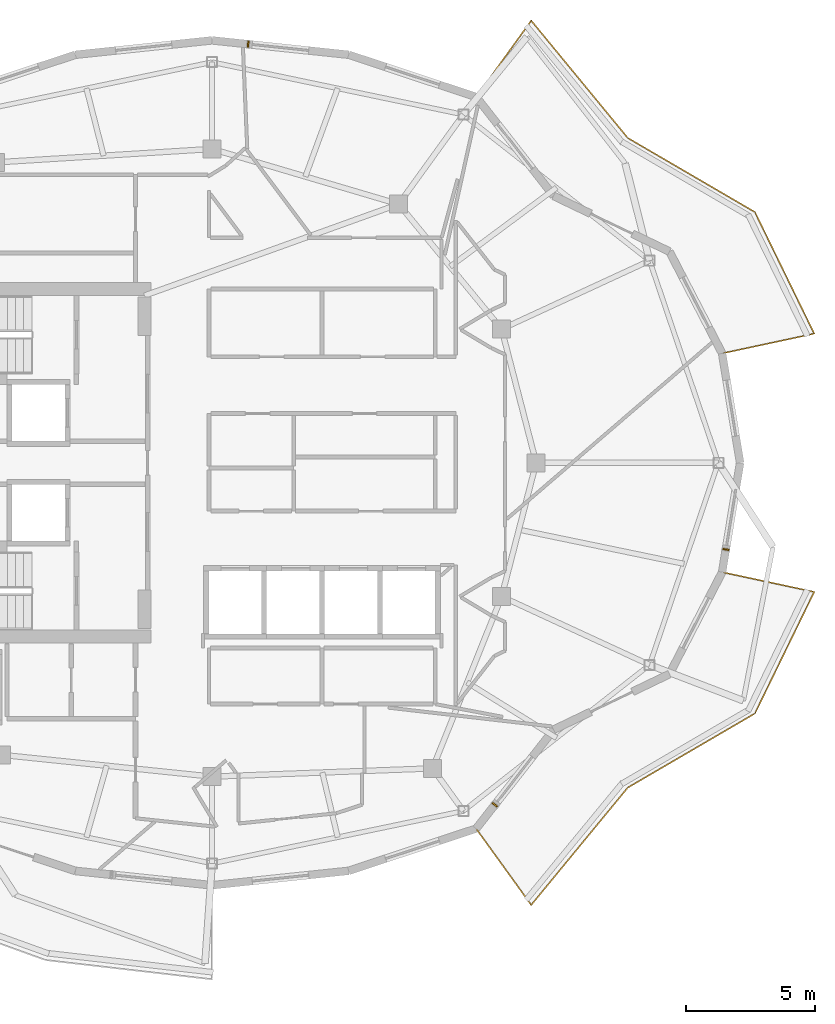
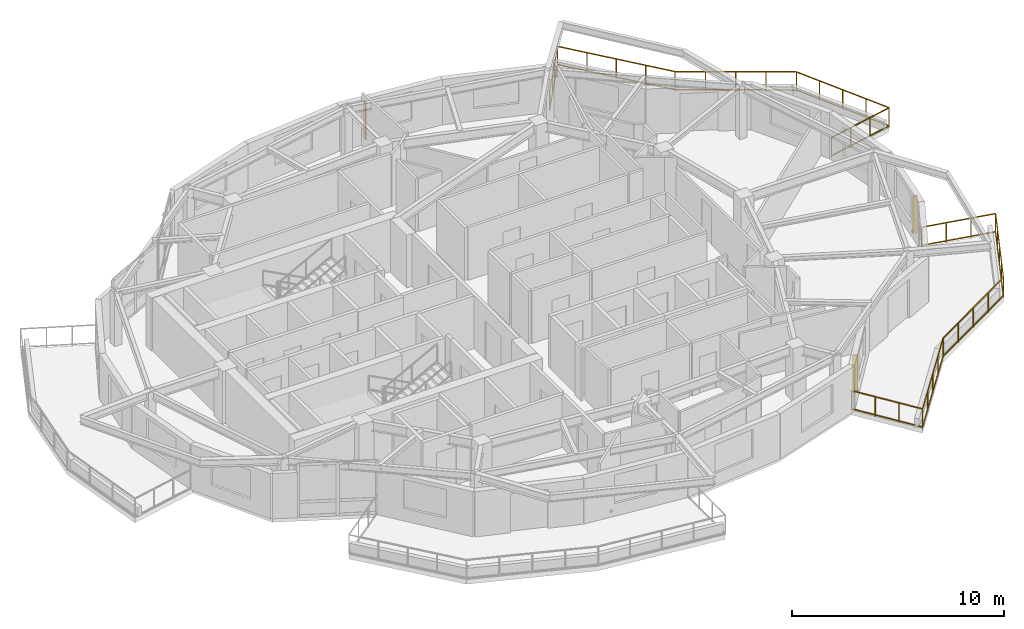
# One storey, part 14 of 14: 3 shading devices, 2 railings.
"""IFC4 building model written with IfcOpenShell, lengths in metres."""

from ifc_helpers import new_model, si_unit, direction, frame, origin, origin_2d, place, context, subcontext, project, spatial, rectangle, extrude, material, type_object, element, save


model = new_model("IFC4")

# Units and contexts
model_context = context("Model", 3, precision=1e-05, world=origin(), true_north=direction((0.0, 1.0)))
body_context = subcontext(model_context, "Body", "Model", "MODEL_VIEW")
ifc_project = project(units=[si_unit("LENGTHUNIT", "METRE"), si_unit("AREAUNIT", "SQUARE_METRE"), si_unit("VOLUMEUNIT", "CUBIC_METRE"), si_unit("PLANEANGLEUNIT", "RADIAN"), si_unit("MASSUNIT", "GRAM", prefix="KILO")], contexts=[model_context])

# Site, building, storey
site_placement = place(None, origin())
site = spatial("IfcSite", under=ifc_project, at=site_placement, CompositionType="ELEMENT")
building_placement = place(site_placement, origin())
building = spatial("IfcBuilding", under=site, at=building_placement, Name="Kolvaren Gate Tower and Convention Centre", CompositionType="ELEMENT")
storey_placement = place(building_placement, frame((0.0, 0.0, 259.10009765625)))
storey = spatial("IfcBuildingStorey", under=building, at=storey_placement, Name="L70", CompositionType="ELEMENT", Elevation=259.10009765625)

# Railings
ifc_material_1 = material(Name="Brushed Stainless Steel Grade 316L", Category="steel")
railing_type = type_object("IfcRailingType", Name="ARCH-RL-GUARD-1150", PredefinedType="GUARDRAIL", material=ifc_material_1)
railing_1_placement = place(storey_placement, frame((49.956787109375, 31.251220703125, 0.0)))
element("IfcRailing", 1, at=railing_1_placement, inside=storey, type_object=railing_type, Name="Tower L70 Terrace Perimeter Guardrail GR-1", PredefinedType="GUARDRAIL", context=body_context, shape_type="SweptSolid", body=[
    extrude(rectangle(XDim=0.048095703125, YDim=0.048095703125, at=origin_2d()), frame((0.02734375, 0.005859375, 1.1259765625), z_axis=(0.977788745232, 0.209592866525, 0.0), x_axis=(-0.209592866525, 0.977788745232, 0.0)), (0.0, 0.0, 1.0), 3.603759765625),
    extrude(rectangle(XDim=0.048095703125, YDim=0.048095703125, at=origin_2d()), frame((0.02734375, 0.005859375, 0.083984375), z_axis=(0.977788745232, 0.209592866525, 0.0), x_axis=(-0.209592866525, 0.977788745232, 0.0)), (0.0, 0.0, 1.0), 3.603759765625),
    extrude(rectangle(XDim=0.048095703125, YDim=0.048095703125, at=origin_2d()), frame((3.56640625, 0.792236328125, 1.1259765625), z_axis=(-0.438469339137, 0.898746148051, 0.0), x_axis=(-0.898746148051, -0.438469339137, 0.0)), (0.0, 0.0, 1.0), 5.20556640625),
    extrude(rectangle(XDim=0.048095703125, YDim=0.048095703125, at=origin_2d()), frame((3.56640625, 0.792236328125, 0.083984375), z_axis=(-0.438469339137, 0.898746148051, 0.0), x_axis=(-0.898746148051, -0.438469339137, 0.0)), (0.0, 0.0, 1.0), 5.20556640625),
    extrude(rectangle(XDim=0.048095703125, YDim=0.048095703125, at=origin_2d()), frame((1.247314453125, 5.51025390625, 1.1259765625), z_axis=(-0.863803671285, 0.503828559606, 0.0), x_axis=(-0.503828559606, -0.863803671285, 0.0)), (0.0, 0.0, 1.0), 5.663330078125),
    extrude(rectangle(XDim=0.048095703125, YDim=0.048095703125, at=origin_2d()), frame((1.247314453125, 5.51025390625, 0.083984375), z_axis=(-0.863803671285, 0.503828559606, 0.0), x_axis=(-0.503828559606, -0.863803671285, 0.0)), (0.0, 0.0, 1.0), 5.663330078125),
    extrude(rectangle(XDim=0.048095703125, YDim=0.048095703125, at=origin_2d()), frame((-3.686767578125, 8.3994140625, 1.1259765625), z_axis=(-0.635426304589, 0.772161519008, 0.0), x_axis=(-0.772161519008, -0.635426304589, 0.0)), (0.0, 0.0, 1.0), 5.85400390625),
    extrude(rectangle(XDim=0.048095703125, YDim=0.048095703125, at=origin_2d()), frame((-3.686767578125, 8.3994140625, 0.083984375), z_axis=(-0.635426304589, 0.772161519008, 0.0), x_axis=(-0.772161519008, -0.635426304589, 0.0)), (0.0, 0.0, 1.0), 5.85400390625),
    extrude(rectangle(XDim=0.048095703125, YDim=0.048095703125, at=origin_2d()), frame((-7.440673828125, 12.91845703125, 1.1259765625), z_axis=(-0.585212870465, -0.810879705161, 0.0), x_axis=(0.810879705161, -0.585212870465, 0.0)), (0.0, 0.0, 1.0), 3.603759765625),
    extrude(rectangle(XDim=0.048095703125, YDim=0.048095703125, at=origin_2d()), frame((-7.440673828125, 12.91845703125, 0.083984375), z_axis=(-0.585212870465, -0.810879705161, 0.0), x_axis=(0.810879705161, -0.585212870465, 0.0)), (0.0, 0.0, 1.0), 3.603759765625),
    extrude(rectangle(XDim=0.0419921875, YDim=0.0419921875, at=origin_2d()), origin(), (0.0, 0.0, 1.0), 1.14990234375),
    extrude(rectangle(XDim=0.0419921875, YDim=0.0419921875, at=origin_2d()), frame((3.57861328125, 0.76708984375, 0.0)), (0.0, 0.0, 1.0), 1.14990234375),
    extrude(rectangle(XDim=0.0419921875, YDim=0.0419921875, at=origin_2d()), frame((1.19287109375, 0.255615234375, 0.0)), (0.0, 0.0, 1.0), 1.099853515625),
    extrude(rectangle(XDim=0.0419921875, YDim=0.0419921875, at=origin_2d()), frame((2.3857421875, 0.511474609375, 0.0)), (0.0, 0.0, 1.0), 1.099853515625),
    extrude(rectangle(XDim=0.0419921875, YDim=0.0419921875, at=origin_2d()), frame((1.271484375, 5.49609375, 0.0)), (0.0, 0.0, 1.0), 1.14990234375),
    extrude(rectangle(XDim=0.0419921875, YDim=0.0419921875, at=origin_2d()), frame((3.001953125, 1.94921875, 0.0)), (0.0, 0.0, 1.0), 1.099853515625),
    extrude(rectangle(XDim=0.0419921875, YDim=0.0419921875, at=origin_2d()), frame((2.425048828125, 3.131591796875, 0.0)), (0.0, 0.0, 1.0), 1.099853515625),
    extrude(rectangle(XDim=0.0419921875, YDim=0.0419921875, at=origin_2d()), frame((1.84814453125, 4.31396484375, 0.0)), (0.0, 0.0, 1.0), 1.099853515625),
    extrude(rectangle(XDim=0.0419921875, YDim=0.0419921875, at=origin_2d()), frame((-3.6689453125, 8.377685546875, 0.0)), (0.0, 0.0, 1.0), 1.14990234375),
    extrude(rectangle(XDim=0.0419921875, YDim=0.0419921875, at=origin_2d()), frame((0.036376953125, 6.216552734375, 0.0)), (0.0, 0.0, 1.0), 1.099853515625),
    extrude(rectangle(XDim=0.0419921875, YDim=0.0419921875, at=origin_2d()), frame((-1.19873046875, 6.93701171875, 0.0)), (0.0, 0.0, 1.0), 1.099853515625),
    extrude(rectangle(XDim=0.0419921875, YDim=0.0419921875, at=origin_2d()), frame((-2.433837890625, 7.6572265625, 0.0)), (0.0, 0.0, 1.0), 1.099853515625),
    extrude(rectangle(XDim=0.0419921875, YDim=0.0419921875, at=origin_2d()), frame((-7.42431640625, 12.941162109375, 0.0)), (0.0, 0.0, 1.0), 1.14990234375),
    extrude(rectangle(XDim=0.0419921875, YDim=0.0419921875, at=origin_2d()), frame((-4.60791015625, 9.5185546875, 0.0)), (0.0, 0.0, 1.0), 1.099853515625),
    extrude(rectangle(XDim=0.0419921875, YDim=0.0419921875, at=origin_2d()), frame((-5.546630859375, 10.659423828125, 0.0)), (0.0, 0.0, 1.0), 1.099853515625),
    extrude(rectangle(XDim=0.0419921875, YDim=0.0419921875, at=origin_2d()), frame((-6.4853515625, 11.80029296875, 0.0)), (0.0, 0.0, 1.0), 1.099853515625),
    extrude(rectangle(XDim=0.0419921875, YDim=0.0419921875, at=origin_2d()), frame((-9.566162109375, 9.973388671875, 0.0)), (0.0, 0.0, 1.0), 1.14990234375),
    extrude(rectangle(XDim=0.0419921875, YDim=0.0419921875, at=origin_2d()), frame((-8.13818359375, 11.951904296875, 0.0)), (0.0, 0.0, 1.0), 1.099853515625),
    extrude(rectangle(XDim=0.0419921875, YDim=0.0419921875, at=origin_2d()), frame((-8.852294921875, 10.962646484375, 0.0)), (0.0, 0.0, 1.0), 1.099853515625),
])
railing_2_placement = place(storey_placement, frame((40.390625, 12.775390625, 0.0)))
element("IfcRailing", 2, at=railing_2_placement, inside=storey, type_object=railing_type, Name="Tower L70 Terrace Perimeter Guardrail GR-4", PredefinedType="GUARDRAIL", context=body_context, shape_type="SweptSolid", body=[
    extrude(rectangle(XDim=0.048095703125, YDim=0.048095703125, at=origin_2d()), frame((0.016357421875, -0.022705078125, 1.1259765625), z_axis=(0.585212870465, -0.810879705161, 0.0), x_axis=(0.810879705161, 0.585212870465, 0.0)), (0.0, 0.0, 1.0), 3.603759765625),
    extrude(rectangle(XDim=0.048095703125, YDim=0.048095703125, at=origin_2d()), frame((0.016357421875, -0.022705078125, 0.083984375), z_axis=(0.585212870465, -0.810879705161, 0.0), x_axis=(0.810879705161, 0.585212870465, 0.0)), (0.0, 0.0, 1.0), 3.603759765625),
    extrude(rectangle(XDim=0.048095703125, YDim=0.048095703125, at=origin_2d()), frame((2.15966796875, -2.946044921875, 1.1259765625), z_axis=(0.635426304589, 0.772161519008, 0.0), x_axis=(-0.772161519008, 0.635426304589, 0.0)), (0.0, 0.0, 1.0), 5.85400390625),
    extrude(rectangle(XDim=0.048095703125, YDim=0.048095703125, at=origin_2d()), frame((2.15966796875, -2.946044921875, 0.083984375), z_axis=(0.635426304589, 0.772161519008, 0.0), x_axis=(-0.772161519008, 0.635426304589, 0.0)), (0.0, 0.0, 1.0), 5.85400390625),
    extrude(rectangle(XDim=0.048095703125, YDim=0.048095703125, at=origin_2d()), frame((5.92138671875, 1.60986328125, 1.1259765625), z_axis=(0.863803671285, 0.503828559606, 0.0), x_axis=(-0.503828559606, 0.863803671285, 0.0)), (0.0, 0.0, 1.0), 5.663330078125),
    extrude(rectangle(XDim=0.048095703125, YDim=0.048095703125, at=origin_2d()), frame((5.92138671875, 1.60986328125, 0.083984375), z_axis=(0.863803671285, 0.503828559606, 0.0), x_axis=(-0.503828559606, 0.863803671285, 0.0)), (0.0, 0.0, 1.0), 5.663330078125),
    extrude(rectangle(XDim=0.048095703125, YDim=0.048095703125, at=origin_2d()), frame((10.849853515625, 4.50244140625, 1.1259765625), z_axis=(0.438469339137, 0.898746148051, 0.0), x_axis=(-0.898746148051, 0.438469339137, 0.0)), (0.0, 0.0, 1.0), 5.20556640625),
    extrude(rectangle(XDim=0.048095703125, YDim=0.048095703125, at=origin_2d()), frame((10.849853515625, 4.50244140625, 0.083984375), z_axis=(0.438469339137, 0.898746148051, 0.0), x_axis=(-0.898746148051, 0.438469339137, 0.0)), (0.0, 0.0, 1.0), 5.20556640625),
    extrude(rectangle(XDim=0.048095703125, YDim=0.048095703125, at=origin_2d()), frame((13.117431640625, 9.212158203125, 1.1259765625), z_axis=(-0.977788745232, 0.209592866525, 0.0), x_axis=(-0.209592866525, -0.977788745232, 0.0)), (0.0, 0.0, 1.0), 3.603759765625),
    extrude(rectangle(XDim=0.048095703125, YDim=0.048095703125, at=origin_2d()), frame((13.117431640625, 9.212158203125, 0.083984375), z_axis=(-0.977788745232, 0.209592866525, 0.0), x_axis=(-0.209592866525, -0.977788745232, 0.0)), (0.0, 0.0, 1.0), 3.603759765625),
    extrude(rectangle(XDim=0.0419921875, YDim=0.0419921875, at=origin_2d()), origin(), (0.0, 0.0, 1.0), 1.14990234375),
    extrude(rectangle(XDim=0.0419921875, YDim=0.0419921875, at=origin_2d()), frame((2.141845703125, -2.9677734375, 0.0)), (0.0, 0.0, 1.0), 1.14990234375),
    extrude(rectangle(XDim=0.0419921875, YDim=0.0419921875, at=origin_2d()), frame((0.7138671875, -0.9892578125, 0.0)), (0.0, 0.0, 1.0), 1.099853515625),
    extrude(rectangle(XDim=0.0419921875, YDim=0.0419921875, at=origin_2d()), frame((1.427978515625, -1.978515625, 0.0)), (0.0, 0.0, 1.0), 1.099853515625),
    extrude(rectangle(XDim=0.0419921875, YDim=0.0419921875, at=origin_2d()), frame((5.897216796875, 1.595703125, 0.0)), (0.0, 0.0, 1.0), 1.14990234375),
    extrude(rectangle(XDim=0.0419921875, YDim=0.0419921875, at=origin_2d()), frame((3.08056640625, -1.826904296875, 0.0)), (0.0, 0.0, 1.0), 1.099853515625),
    extrude(rectangle(XDim=0.0419921875, YDim=0.0419921875, at=origin_2d()), frame((4.01953125, -0.68603515625, 0.0)), (0.0, 0.0, 1.0), 1.099853515625),
    extrude(rectangle(XDim=0.0419921875, YDim=0.0419921875, at=origin_2d()), frame((4.95849609375, 0.454833984375, 0.0)), (0.0, 0.0, 1.0), 1.099853515625),
    extrude(rectangle(XDim=0.0419921875, YDim=0.0419921875, at=origin_2d()), frame((10.837646484375, 4.477294921875, 0.0)), (0.0, 0.0, 1.0), 1.14990234375),
    extrude(rectangle(XDim=0.0419921875, YDim=0.0419921875, at=origin_2d()), frame((7.13232421875, 2.316162109375, 0.0)), (0.0, 0.0, 1.0), 1.099853515625),
    extrude(rectangle(XDim=0.0419921875, YDim=0.0419921875, at=origin_2d()), frame((8.367431640625, 3.03662109375, 0.0)), (0.0, 0.0, 1.0), 1.099853515625),
    extrude(rectangle(XDim=0.0419921875, YDim=0.0419921875, at=origin_2d()), frame((9.6025390625, 3.7568359375, 0.0)), (0.0, 0.0, 1.0), 1.099853515625),
    extrude(rectangle(XDim=0.0419921875, YDim=0.0419921875, at=origin_2d()), frame((13.144775390625, 9.206298828125, 0.0)), (0.0, 0.0, 1.0), 1.14990234375),
    extrude(rectangle(XDim=0.0419921875, YDim=0.0419921875, at=origin_2d()), frame((11.41455078125, 5.65966796875, 0.0)), (0.0, 0.0, 1.0), 1.099853515625),
    extrude(rectangle(XDim=0.0419921875, YDim=0.0419921875, at=origin_2d()), frame((11.9912109375, 6.841796875, 0.0)), (0.0, 0.0, 1.0), 1.099853515625),
    extrude(rectangle(XDim=0.0419921875, YDim=0.0419921875, at=origin_2d()), frame((12.56787109375, 8.02392578125, 0.0)), (0.0, 0.0, 1.0), 1.099853515625),
    extrude(rectangle(XDim=0.0419921875, YDim=0.0419921875, at=origin_2d()), frame((9.566162109375, 9.973388671875, 0.0)), (0.0, 0.0, 1.0), 1.14990234375),
    extrude(rectangle(XDim=0.0419921875, YDim=0.0419921875, at=origin_2d()), frame((11.951904296875, 9.4619140625, 0.0)), (0.0, 0.0, 1.0), 1.099853515625),
    extrude(rectangle(XDim=0.0419921875, YDim=0.0419921875, at=origin_2d()), frame((10.759033203125, 9.7177734375, 0.0)), (0.0, 0.0, 1.0), 1.099853515625),
])

# Shading devices
ifc_material_2 = material(Name="Kiln-Fired Bogota Terracotta Ceramic Louvre Profile", Category="masonry")
shading_device_type = type_object("IfcShadingDeviceType", Name="ARCH-SHD-FIN-180", PredefinedType="JALOUSIE", material=ifc_material_2)
for number, where, z_axis, x_axis, name in (
    (3, (31.529296875, 43.277099609375, 0.219970703125), (0.0, 0.0, 1.0), (0.994498701491, -0.104748903254, 0.0), "Ceramic Vertical Brise-Soleil Fin FN-L70-05"),
    (4, (41.12060546875, 13.707763671875, 0.219970703125), (0.0, 0.0, 1.0), (0.616429996253, 0.787409715281, 0.0), "Ceramic Vertical Brise-Soleil Fin FN-L70-20"),
    (5, (50.101806640625, 23.631103515625, 0.219970703125), (0.0, 0.0, 1.0), (0.162385734509, 0.986727355062, 0.0), "Ceramic Vertical Brise-Soleil Fin FN-L70-23"),
):
    element("IfcShadingDevice", number, at=place(storey_placement, frame(where, z_axis=z_axis, x_axis=x_axis)), inside=storey, type_object=shading_device_type, Name=name, PredefinedType="JALOUSIE", context=body_context, shape_type="SweptSolid", body=[
        extrude(rectangle(XDim=0.06005859375, YDim=0.239990234375, at=origin_2d()), origin(), (0.0, 0.0, 1.0), 2.14990234375),
    ])

save(model, "model.ifc")
